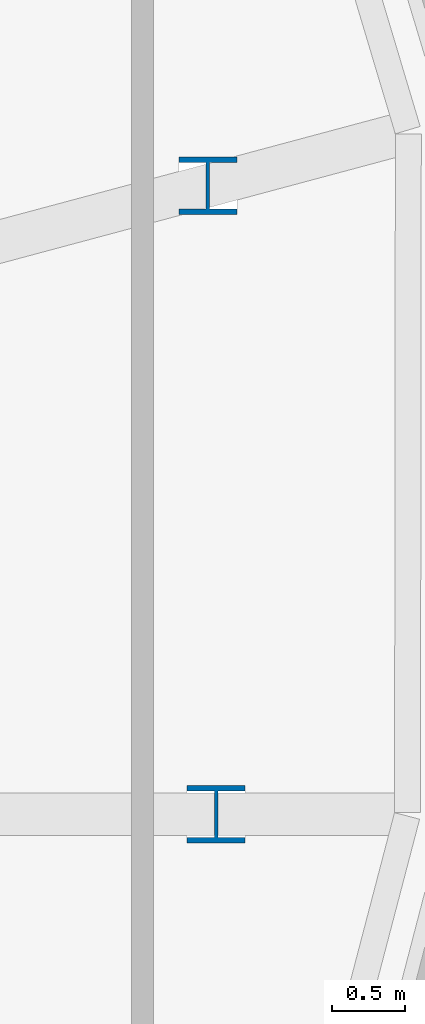
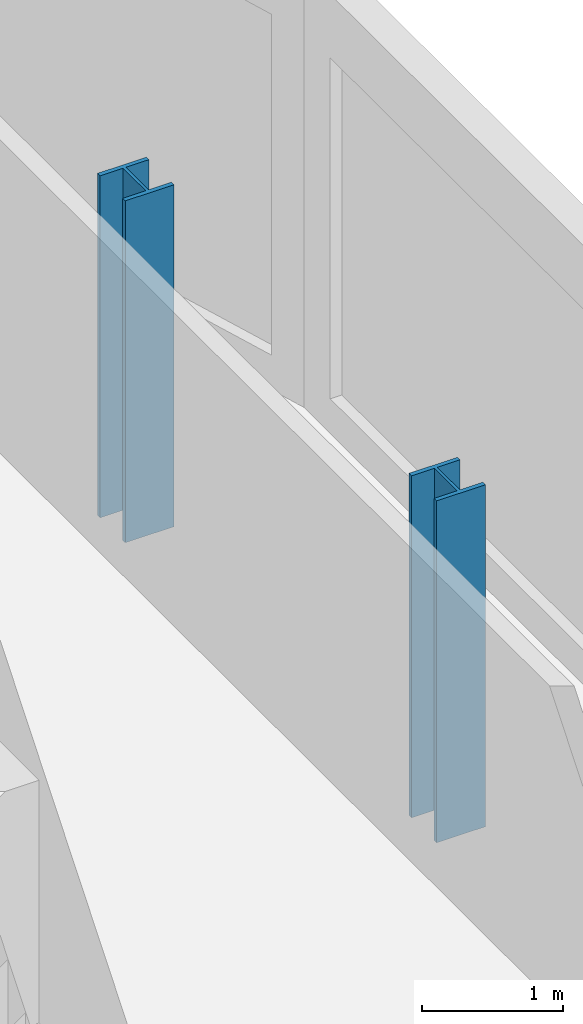
# One storey, part 2 of 37: 2 columns.
"""IFC4 building model written with IfcOpenShell, lengths in metres."""

from ifc_helpers import new_model, si_unit, direction, frame, origin, origin_2d, place, context, subcontext, project, spatial, i_section, extrude, material, material_profile, profile_set, type_object, element, save


model = new_model("IFC4")

# Units and contexts
model_context = context("Model", 3, precision=1e-05, world=origin(), true_north=direction((0.0, 1.0)))
body_context = subcontext(model_context, "Body", "Model", "MODEL_VIEW")
ifc_project = project(units=[si_unit("LENGTHUNIT", "METRE"), si_unit("AREAUNIT", "SQUARE_METRE"), si_unit("VOLUMEUNIT", "CUBIC_METRE"), si_unit("PLANEANGLEUNIT", "RADIAN"), si_unit("MASSUNIT", "GRAM", prefix="KILO")], contexts=[model_context])

# Site, building, storey
site_placement = place(None, origin())
site = spatial("IfcSite", under=ifc_project, at=site_placement, CompositionType="ELEMENT")
building_placement = place(site_placement, origin())
building = spatial("IfcBuilding", under=site, at=building_placement, Name="Rimbun Link Towers", CompositionType="ELEMENT")
storey_placement = place(building_placement, frame((0.0, 0.0, 166.5)))
storey = spatial("IfcBuildingStorey", under=building, at=storey_placement, Name="L40", CompositionType="ELEMENT", Elevation=166.5)

# Columns
ifc_material = material(Name="Steel S355J2", Category="steel")
ifc_material_profile = material_profile(ifc_material, i_section(OverallWidth=0.39892578125, OverallDepth=0.3935546875, WebThickness=0.022705078125, FlangeThickness=0.03662109375, at=origin_2d()), Name="UC 356x406x287")
ifc_profile_set = profile_set([ifc_material_profile], Name="Steel S355J2")
column_type = type_object("IfcColumnType", Name="UC 356x406x287", PredefinedType="COLUMN", material=ifc_profile_set)
for number, where, z_axis, x_axis, name in (
    (1, (47.91015625, 0.0, -0.14990234375), (0.0, 0.0, 1.0), (1.0, 0.0, 0.0), "Crease post T2 L40 21"),
    (2, (47.852783203125, 4.314697265625, -0.14990234375), (0.0, 0.0, 1.0), (1.0, 0.0, 0.0), "Crease post T2 L40 22"),
):
    element("IfcColumn", number, at=place(storey_placement, frame(where, z_axis=z_axis, x_axis=x_axis)), inside=storey, type_object=column_type, Name=name, PredefinedType="COLUMN", context=body_context, shape_type="SweptSolid", body=[
        extrude(i_section(OverallWidth=0.39892578125, OverallDepth=0.3935546875, WebThickness=0.022705078125, FlangeThickness=0.03662109375, at=origin_2d()), origin(), (0.0, 0.0, 1.0), 2.959228515625),
    ])

save(model, "model.ifc")
